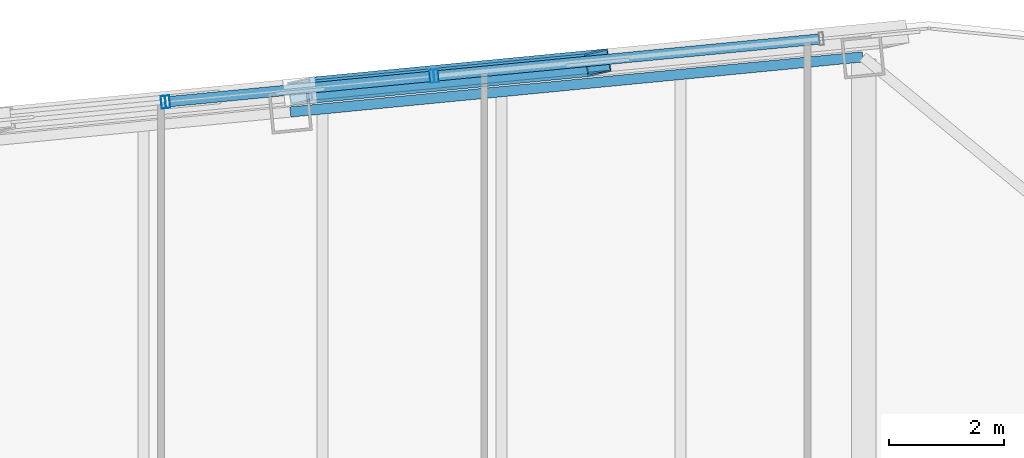
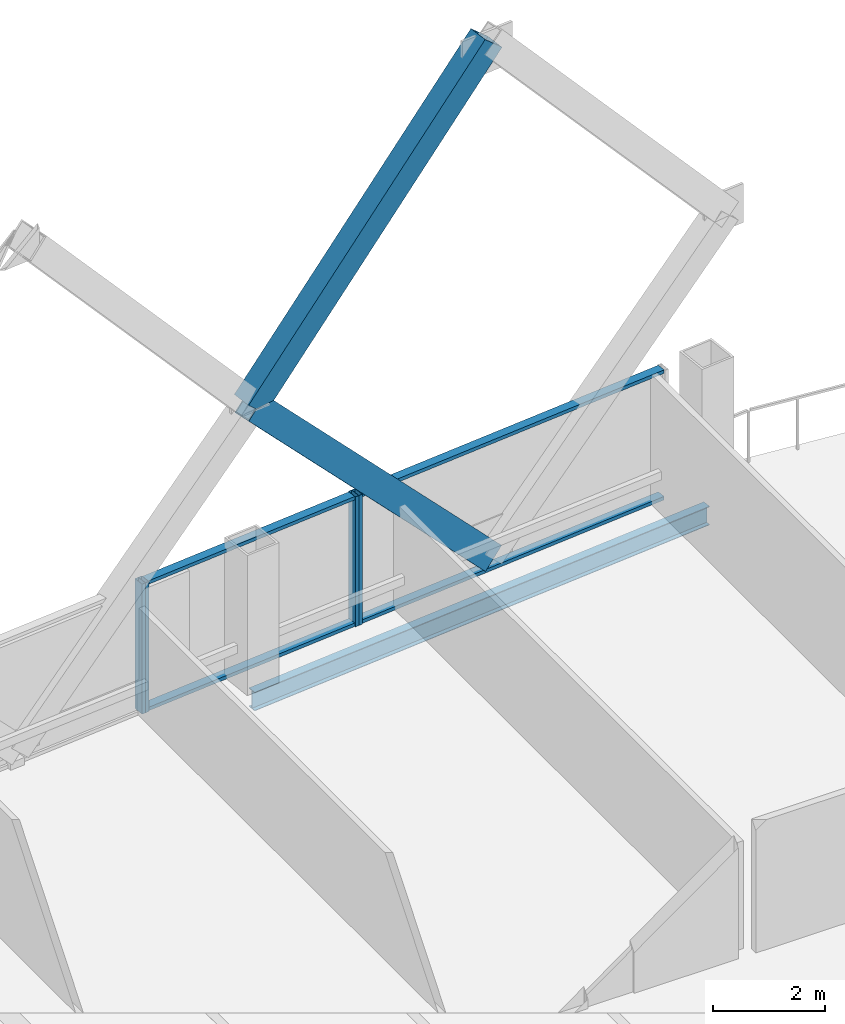
# One storey, part 24 of 34: 10 members, 1 beam, 3 elements without a shape of their own.
"""IFC4 building model written with IfcOpenShell, lengths in metres."""

import ifcopenshell
import ifcopenshell.guid

model = None  # the IFC model being written
_history = None  # IfcOwnerHistory: only IFC2X3 demands one
_inside = {}  # id of a spatial element -> (the spatial element, [elements in it])
_under = {}  # id of a project, library or spatial element -> (it, [spatial elements below it])
_declared = {}  # id of a project -> (the project, [libraries it declares])
_typed = {}  # id of a type object -> (the type object, [elements of that type])
_made_of = {}  # id of a material, layer set ... -> (it, [elements and type objects made of it])


def new_model(schema):
    """Start an empty IFC model of exactly this schema.

    Asked for "IFC4X3", IfcOpenShell would pick the latest addendum, in which some entities
    have other attributes; the version numbers below select the first issue.
    IFC2X3 requires an IfcOwnerHistory on every rooted entity: one is made here for all.
    """
    global model, _history
    if schema == "IFC4X3":
        model = ifcopenshell.file(schema_version=(4, 3, 0, 0))
    else:
        model = ifcopenshell.file(schema=schema)
    _inside.clear()
    _under.clear()
    _declared.clear()
    _typed.clear()
    _made_of.clear()
    _history = None
    if model.schema == "IFC2X3":
        org = make("IfcOrganization", Name="unknown")
        user = make(
            "IfcPersonAndOrganization",
            ThePerson=make("IfcPerson", FamilyName="unknown"),
            TheOrganization=org,
        )
        app = make(
            "IfcApplication",
            ApplicationDeveloper=org,
            Version="unknown",
            ApplicationFullName="unknown",
            ApplicationIdentifier="unknown",
        )
        _history = make(
            "IfcOwnerHistory",
            OwningUser=user,
            OwningApplication=app,
            ChangeAction="ADDED",
            CreationDate=0,
        )
    return model


def make(cls, **values):
    """One entity of the class cls with the attributes given. An attribute that is None is left unset."""
    return model.create_entity(
        cls, **{name: value for name, value in values.items() if value is not None}
    )


def rooted(cls, **values):
    """An entity with a GlobalId (a new one), such as an element, a storey or a relation."""
    return make(cls, GlobalId=ifcopenshell.guid.new(), OwnerHistory=_history, **values)


def si_unit(unit_type, name, prefix=None):
    """IfcSIUnit, for example si_unit("LENGTHUNIT", "METRE", prefix="MILLI")."""
    return make("IfcSIUnit", UnitType=unit_type, Prefix=prefix, Name=name)


def assignment(units):
    """IfcUnitAssignment: the units of a project."""
    return None if units is None else make("IfcUnitAssignment", Units=units)


def point(xyz):
    """IfcCartesianPoint."""
    return None if xyz is None else make("IfcCartesianPoint", Coordinates=xyz)


def direction(xyz):
    """IfcDirection."""
    return None if xyz is None else make("IfcDirection", DirectionRatios=xyz)


def frame(location, z_axis=None, x_axis=None):
    """IfcAxis2Placement3D, a coordinate frame: its origin and axes. An axis left out is left unset."""
    return make(
        "IfcAxis2Placement3D",
        Location=point(location),
        Axis=direction(z_axis),
        RefDirection=direction(x_axis),
    )


def frame_2d(location, x_axis=None):
    """IfcAxis2Placement2D, a coordinate frame in the plane: its origin and x axis."""
    return make(
        "IfcAxis2Placement2D", Location=point(location), RefDirection=direction(x_axis)
    )


def origin():
    """The frame at (0, 0, 0) with its axes left unset."""
    return frame((0.0, 0.0, 0.0))


def origin_2d():
    """The frame at (0, 0) in the plane with its x axis left unset."""
    return frame_2d((0.0, 0.0))


def place(relative_to, where):
    """IfcLocalPlacement: puts the frame where relative to a parent placement (None: the world)."""
    return make(
        "IfcLocalPlacement", PlacementRelTo=relative_to, RelativePlacement=where
    )


def context(
    kind, dimensions, precision=None, world=None, true_north=None, identifier=None
):
    """IfcGeometricRepresentationContext, for example the 3D "Model" context."""
    return make(
        "IfcGeometricRepresentationContext",
        ContextIdentifier=identifier,
        ContextType=kind,
        CoordinateSpaceDimension=dimensions,
        Precision=precision,
        WorldCoordinateSystem=world,
        TrueNorth=true_north,
    )


def subcontext(parent, identifier, kind, view, scale=None):
    """IfcGeometricRepresentationSubContext, for example "Body" below "Model"."""
    return make(
        "IfcGeometricRepresentationSubContext",
        ContextIdentifier=identifier,
        ContextType=kind,
        ParentContext=parent,
        TargetScale=scale,
        TargetView=view,
    )


def project(units=None, contexts=None):
    """IfcProject with its units and contexts."""
    return rooted(
        "IfcProject",
        Name="project",
        RepresentationContexts=contexts,
        UnitsInContext=assignment(units),
    )


def spatial(cls, under=None, at=None, **own):
    """A site, building, storey or space (cls), placed at a placement, below another one or the project."""
    s = rooted(cls, ObjectPlacement=at, **own)
    if under is not None:
        _under.setdefault(under.id(), (under, []))[1].append(s)
    return s


def profile(cls, at=None, kind="AREA", **sizes):
    """A parametric profile (cls). Its sizes go by their IFC names, for example OverallWidth=200.0."""
    return make(cls, ProfileType=kind, Position=at, **sizes)


def hollow_rectangle(**sizes):
    """IfcRectangleHollowProfileDef."""
    return profile("IfcRectangleHollowProfileDef", **sizes)


def i_section(**sizes):
    """IfcIShapeProfileDef."""
    return profile("IfcIShapeProfileDef", **sizes)


def extrude(swept, where, along, depth):
    """IfcExtrudedAreaSolid: the profile swept, set in the frame where, extruded along a direction by depth."""
    return make(
        "IfcExtrudedAreaSolid",
        SweptArea=swept,
        Position=where,
        ExtrudedDirection=direction(along),
        Depth=depth,
    )


def shape(context_of_items, identifier, shape_type, items):
    """IfcShapeRepresentation: the items that make up one representation, for example the "Body"."""
    return make(
        "IfcShapeRepresentation",
        ContextOfItems=context_of_items,
        RepresentationIdentifier=identifier,
        RepresentationType=shape_type,
        Items=items,
    )


def material(Name=None, Category=None):
    """IfcMaterial."""
    return make("IfcMaterial", Name=Name, Category=Category)


def layer(
    of_material, thickness, ventilated=None, Name=None, Category=None, Priority=None
):
    """IfcMaterialLayer: one layer of a wall or slab, of a material (None: an air gap)."""
    return make(
        "IfcMaterialLayer",
        Material=of_material,
        LayerThickness=thickness,
        IsVentilated=ventilated,
        Name=Name,
        Category=Category,
        Priority=Priority,
    )


def layer_set(layers, Name=None):
    """IfcMaterialLayerSet."""
    return make("IfcMaterialLayerSet", MaterialLayers=layers, LayerSetName=Name)


def material_profile(
    of_material, cross_section, Name=None, Category=None, Priority=None
):
    """IfcMaterialProfile: a cross section and its material."""
    return make(
        "IfcMaterialProfile",
        Name=Name,
        Material=of_material,
        Profile=cross_section,
        Priority=Priority,
        Category=Category,
    )


def profile_set(profiles, Name=None, composite=None):
    """IfcMaterialProfileSet."""
    return make(
        "IfcMaterialProfileSet",
        Name=Name,
        MaterialProfiles=profiles,
        CompositeProfile=composite,
    )


def made_of(thing, what):
    """Note that an element or type object is made of a material, layer set ...; save() writes the relation."""
    if what is not None:
        _made_of.setdefault(what.id(), (what, []))[1].append(thing)
    return thing


def type_object(cls, material=None, **own):
    """A type object (cls), such as IfcWallType, which elements share."""
    return made_of(rooted(cls, **own), material)


def element(
    cls,
    number,
    at=None,
    inside=None,
    cuts=None,
    type_object=None,
    material=None,
    context=None,
    identifier="Body",
    shape_type=None,
    held_by="IfcProductDefinitionShape",
    body=None,
    shapes=None,
    **own,
):
    """One element of the class cls, such as IfcWall. Its Tag is "e" and its number.

    at: its placement. inside: the storey or other place that contains it. cuts: it is an
    opening in that element (IfcRelVoidsElement). A single representation is given by context,
    identifier, shape_type and body (its items); several are given by shapes. held_by: the class
    of the entity that holds the representations. save() writes the other relations.
    """
    e = rooted(cls, Tag="e%d" % number, ObjectPlacement=at, **own)
    if body is not None:
        shapes = [shape(context, identifier, shape_type, body)]
    if shapes is not None:
        e.Representation = make(held_by, Representations=shapes)
    if inside is not None:
        _inside.setdefault(inside.id(), (inside, []))[1].append(e)
    if cuts is not None:
        rooted(
            "IfcRelVoidsElement", RelatingBuildingElement=cuts, RelatedOpeningElement=e
        )
    if type_object is not None:
        _typed.setdefault(type_object.id(), (type_object, []))[1].append(e)
    return made_of(e, material)


def aggregate(whole, parts):
    """IfcRelAggregates: a whole, such as a stair, and the parts it consists of."""
    return rooted("IfcRelAggregates", RelatingObject=whole, RelatedObjects=parts)


def save(model, path):
    """Write the relations noted so far, then the file.

    IfcRelAggregates (storeys below a building ...), IfcRelContainedInSpatialStructure (elements
    in a storey), IfcRelDefinesByType, IfcRelAssociatesMaterial and IfcRelDeclares: one each for
    every whole, place, type object, material and project.
    """
    for whole, parts in _under.values():
        aggregate(whole, parts)
    for where, things in _inside.values():
        rooted(
            "IfcRelContainedInSpatialStructure",
            RelatedElements=things,
            RelatingStructure=where,
        )
    for kind, things in _typed.values():
        rooted("IfcRelDefinesByType", RelatedObjects=things, RelatingType=kind)
    for what, things in _made_of.values():
        rooted("IfcRelAssociatesMaterial", RelatedObjects=things, RelatingMaterial=what)
    for by, libraries in _declared.values():
        rooted("IfcRelDeclares", RelatingContext=by, RelatedDefinitions=libraries)
    model.write(path)


model = new_model("IFC4")

# Units and contexts
model_context = context("Model", 3, precision=1e-05, world=origin(), true_north=direction((0.0, 1.0)))
body_context = subcontext(model_context, "Body", "Model", "MODEL_VIEW")
ifc_project = project(units=[si_unit("LENGTHUNIT", "METRE"), si_unit("AREAUNIT", "SQUARE_METRE"), si_unit("VOLUMEUNIT", "CUBIC_METRE"), si_unit("PLANEANGLEUNIT", "RADIAN"), si_unit("MASSUNIT", "GRAM", prefix="KILO")], contexts=[model_context])

# Site, building, storey
site_placement = place(None, origin())
site = spatial("IfcSite", under=ifc_project, at=site_placement, CompositionType="ELEMENT")
building_placement = place(site_placement, origin())
building = spatial("IfcBuilding", under=site, at=building_placement, Name="Qhalaya Broadcast Tower", CompositionType="ELEMENT")
storey_placement = place(building_placement, frame((0.0, 0.0, 168.35009765625)))
storey = spatial("IfcBuildingStorey", under=building, at=storey_placement, Name="L49", CompositionType="ELEMENT", Elevation=168.35009765625)

# Members
ifc_material_1 = material(Name="Structural Steel ASTM A572 Grade 50", Category="steel")
ifc_material_profile_1 = material_profile(ifc_material_1, hollow_rectangle(XDim=0.39990234375, YDim=0.550048828125, WallThickness=0.02490234375, at=origin_2d()), Name="BOX 400x550x25")
ifc_profile_set_1 = profile_set([ifc_material_profile_1], Name="Structural Steel ASTM A572 Grade 50")
member_type_1 = type_object("IfcMemberType", Name="Exoskeleton Diamond Diagonal Mid-High EX3", PredefinedType="BRACE", material=ifc_profile_set_1)
member_1_placement = place(storey_placement, frame((4.76708984375, 25.427001953125, 0.35986328125), z_axis=(-0.690615647814, -0.066502760768, 0.72015790616), x_axis=(0.164116501784, -0.984196976573, 0.066498760488)))
element("IfcMember", 1, at=member_1_placement, inside=storey, type_object=member_type_1, Name="B4 Exoskeleton Diamond Brace N1-D2", PredefinedType="BRACE", context=body_context, shape_type="SweptSolid", body=[
    extrude(hollow_rectangle(XDim=0.39990234375, YDim=0.550048828125, WallThickness=0.02490234375, at=origin_2d()), origin(), (0.0, 0.0, 1.0), 7.470703125),
])
member_2_placement = place(storey_placement, frame((-0.392333984375, 24.93017578125, 5.739990234375), z_axis=(0.659492058015, 0.063505717979, 0.749024198007), x_axis=(-0.166870474322, 0.983931783079, 0.063501897979)))
element("IfcMember", 2, at=member_2_placement, inside=storey, type_object=member_type_1, Name="B4 Exoskeleton Diamond Brace N1-D4", PredefinedType="BRACE", context=body_context, shape_type="SweptSolid", body=[
    extrude(hollow_rectangle(XDim=0.39990234375, YDim=0.550048828125, WallThickness=0.02490234375, at=origin_2d()), origin(), (0.0, 0.0, 1.0), 7.8232421875),
])

# Curtain wall, member
ifc_material_2 = material(Name="Fired Architectural Terracotta", Category="masonry")
ifc_layer_1 = layer(ifc_material_2, 0.219970703125, Name="Fired Architectural Terracotta")
ifc_layer_set_1 = layer_set([ifc_layer_1], Name="Fired Architectural Terracotta")
curtain_wall_type_1 = type_object("IfcCurtainWallType", Name="Block-Cap Unitised Terracotta Spandrel Wall CW-07", PredefinedType="NOTDEFINED", material=ifc_layer_set_1)
curtain_wall_1_placement = place(storey_placement, origin())
curtain_wall_1 = element("IfcCurtainWall", 3, at=curtain_wall_1_placement, inside=storey, type_object=curtain_wall_type_1, Name="L49 Unitised Curtain Wall L49-CW-N1", PredefinedType="NOTDEFINED")
ifc_material_3 = material(Name="Anodised Aluminium 6063-T6", Category="aluminium")
ifc_material_profile_2 = material_profile(ifc_material_3, hollow_rectangle(XDim=0.074951171875, YDim=0.219970703125, WallThickness=0.00390625, at=origin_2d()), Name="ALU-MUL 75x220x4")
ifc_profile_set_2 = profile_set([ifc_material_profile_2], Name="Anodised Aluminium 6063-T6")
member_type_2 = type_object("IfcMemberType", Name="Unitised Curtain-Wall Mullion M01", PredefinedType="MULLION", material=ifc_profile_set_2)
member_3_placement = place(storey_placement, frame((1.967041015625, 25.197509765625, 0.0), z_axis=(0.0, 0.0, 1.0), x_axis=(-0.99539669829, -0.095840560477, 0.0)))
member_3 = element("IfcMember", 4, at=member_3_placement, type_object=member_type_2, Name="CW-07 mullion 2", PredefinedType="MULLION", context=body_context, shape_type="SweptSolid", body=[
    extrude(hollow_rectangle(XDim=0.074951171875, YDim=0.219970703125, WallThickness=0.00390625, at=origin_2d()), origin(), (0.0, 0.0, 1.0), 2.829833984375),
])

# Curtain wall, members
ifc_material_4 = material(Name="Solar-Control Low-E Triple Glazing", Category="glass")
ifc_layer_2 = layer(ifc_material_4, 0.219970703125, Name="Solar-Control Low-E Triple Glazing")
ifc_layer_set_2 = layer_set([ifc_layer_2], Name="Solar-Control Low-E Triple Glazing")
curtain_wall_type_2 = type_object("IfcCurtainWallType", Name="Even-Block 4-Storey Double-Module Curtain Wall CW-03", PredefinedType="NOTDEFINED", material=ifc_layer_set_2)
curtain_wall_2_placement = place(storey_placement, origin())
curtain_wall_2 = element("IfcCurtainWall", 5, at=curtain_wall_2_placement, inside=storey, type_object=curtain_wall_type_2, Name="L49 Unitised Curtain Wall L49-CW-N2", PredefinedType="NOTDEFINED")
member_4_placement = place(storey_placement, frame((1.892333984375, 25.1904296875, 0.0), z_axis=(0.0, 0.0, 1.0), x_axis=(-0.995395888038, -0.095848975357, 0.0)))
member_4 = element("IfcMember", 6, at=member_4_placement, type_object=member_type_2, Name="CW-03 mullion 1", PredefinedType="MULLION", context=body_context, shape_type="SweptSolid", body=[
    extrude(hollow_rectangle(XDim=0.074951171875, YDim=0.219970703125, WallThickness=0.00390625, at=origin_2d()), origin(), (0.0, 0.0, 1.0), 2.829833984375),
])
member_5_placement = place(storey_placement, frame((-2.685546875, 24.74951171875, 0.0), z_axis=(0.0, 0.0, 1.0), x_axis=(-0.995395888038, -0.095848975357, 0.0)))
member_5 = element("IfcMember", 7, at=member_5_placement, type_object=member_type_2, Name="CW-03 mullion 2", PredefinedType="MULLION", context=body_context, shape_type="SweptSolid", body=[
    extrude(hollow_rectangle(XDim=0.074951171875, YDim=0.219970703125, WallThickness=0.00390625, at=origin_2d()), origin(), (0.0, 0.0, 1.0), 2.829833984375),
])

# Curtain wall, member
curtain_wall_3_placement = place(storey_placement, origin())
curtain_wall_3 = element("IfcCurtainWall", 8, at=curtain_wall_3_placement, inside=storey, type_object=curtain_wall_type_1, Name="L49 Unitised Curtain Wall L49-CW-N3", PredefinedType="NOTDEFINED")
member_6_placement = place(storey_placement, frame((-2.760009765625, 24.742431640625, 0.0), z_axis=(0.0, 0.0, 1.0), x_axis=(-0.995395435525, -0.095853674613, 0.0)))
member_6 = element("IfcMember", 9, at=member_6_placement, type_object=member_type_2, Name="CW-07 mullion 1", PredefinedType="MULLION", context=body_context, shape_type="SweptSolid", body=[
    extrude(hollow_rectangle(XDim=0.074951171875, YDim=0.219970703125, WallThickness=0.00390625, at=origin_2d()), origin(), (0.0, 0.0, 1.0), 2.829833984375),
])
aggregate(curtain_wall_3, [member_6])

# Member
ifc_material_profile_3 = material_profile(ifc_material_3, hollow_rectangle(XDim=0.074951171875, YDim=0.179931640625, WallThickness=0.00390625, at=origin_2d()), Name="ALU-TRN 75x180x4")
ifc_profile_set_3 = profile_set([ifc_material_profile_3], Name="Anodised Aluminium 6063-T6")
member_type_3 = type_object("IfcMemberType", Name="Unitised Curtain-Wall Transom T01", PredefinedType="USERDEFINED", material=ifc_profile_set_3)
member_7_placement = place(storey_placement, frame((8.603759765625, 25.836669921875, 0.037353515625), z_axis=(-0.995395457973, -0.095853441497, 0.0), x_axis=(0.0, 0.0, 1.0)))
member_7 = element("IfcMember", 10, at=member_7_placement, type_object=member_type_3, Name="CW-07 transom 1.1", ObjectType="TRANSOM", PredefinedType="USERDEFINED", context=body_context, shape_type="SweptSolid", body=[
    extrude(hollow_rectangle(XDim=0.074951171875, YDim=0.179931640625, WallThickness=0.00390625, at=origin_2d()), origin(), (0.0, 0.0, 1.0), 6.6298828125),
])

member_8_placement = place(storey_placement, frame((8.603759765625, 25.836669921875, 2.79248046875), z_axis=(-0.995395457973, -0.095853441497, 0.0), x_axis=(0.0, 0.0, 1.0)))
member_8 = element("IfcMember", 11, at=member_8_placement, type_object=member_type_3, Name="CW-07 transom 1.2", ObjectType="TRANSOM", PredefinedType="USERDEFINED", context=body_context, shape_type="SweptSolid", body=[
    extrude(hollow_rectangle(XDim=0.074951171875, YDim=0.179931640625, WallThickness=0.00390625, at=origin_2d()), origin(), (0.0, 0.0, 1.0), 6.6298828125),
])

aggregate(curtain_wall_1, [member_3, member_7, member_8])

member_9_placement = place(storey_placement, frame((1.85498046875, 25.186767578125, 0.037353515625), z_axis=(-0.995396463484, -0.095842999141, 0.0), x_axis=(0.0, 0.0, 1.0)))
member_9 = element("IfcMember", 12, at=member_9_placement, type_object=member_type_3, Name="CW-03 transom 1.1", ObjectType="TRANSOM", PredefinedType="USERDEFINED", context=body_context, shape_type="SweptSolid", body=[
    extrude(hollow_rectangle(XDim=0.074951171875, YDim=0.179931640625, WallThickness=0.00390625, at=origin_2d()), origin(), (0.0, 0.0, 1.0), 4.52392578125),
])

member_10_placement = place(storey_placement, frame((1.85498046875, 25.186767578125, 2.79248046875), z_axis=(-0.995396463484, -0.095842999141, 0.0), x_axis=(0.0, 0.0, 1.0)))
member_10 = element("IfcMember", 13, at=member_10_placement, type_object=member_type_3, Name="CW-03 transom 1.2", ObjectType="TRANSOM", PredefinedType="USERDEFINED", context=body_context, shape_type="SweptSolid", body=[
    extrude(hollow_rectangle(XDim=0.074951171875, YDim=0.179931640625, WallThickness=0.00390625, at=origin_2d()), origin(), (0.0, 0.0, 1.0), 4.52392578125),
])

aggregate(curtain_wall_2, [member_4, member_5, member_9, member_10])

# Beam
ifc_material_5 = material(Name="Structural Steel ASTM A992 Grade 50", Category="steel")
ifc_material_profile_4 = material_profile(ifc_material_5, i_section(OverallWidth=0.177978515625, OverallDepth=0.406005859375, WebThickness=0.0078125, FlangeThickness=0.0126953125, at=origin_2d()), Name="W16X40")
ifc_profile_set_4 = profile_set([ifc_material_profile_4], Name="Structural Steel ASTM A992 Grade 50")
beam_type = type_object("IfcBeamType", Name="Upper Perimeter Spandrel Beam SP2", PredefinedType="SPANDREL", material=ifc_profile_set_4)
beam_placement = place(storey_placement, frame((9.362060546875, 25.52783203125, -0.423095703125), z_axis=(-0.99539573508, -0.095850563819, 0.0), x_axis=(0.095850563819, -0.99539573508, 0.0)))
element("IfcBeam", 14, at=beam_placement, inside=storey, type_object=beam_type, Name="L49 SP2 L49-SPR-09", PredefinedType="SPANDREL", context=body_context, shape_type="SweptSolid", body=[
    extrude(i_section(OverallWidth=0.177978515625, OverallDepth=0.406005859375, WebThickness=0.0078125, FlangeThickness=0.0126953125, at=origin_2d()), origin(), (0.0, 0.0, 1.0), 9.966796875),
])

save(model, "model.ifc")
